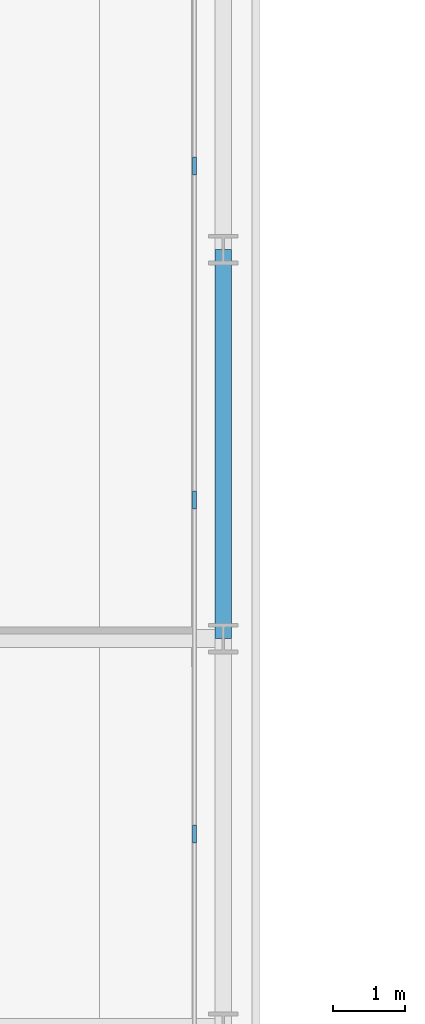
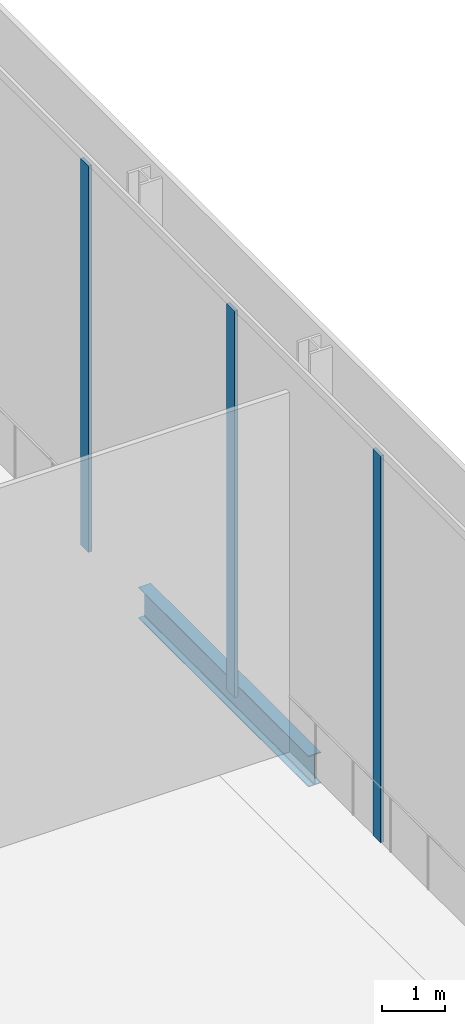
# One storey, part 16 of 37: 3 members, 1 beam, 1 element without a shape of its own.
"""IFC4 building model written with IfcOpenShell, lengths in metres."""

from ifc_helpers import new_model, si_unit, direction, frame, origin, origin_2d, place, context, subcontext, project, spatial, rectangle, i_section, extrude, material, layer, layer_set, material_profile, profile_set, type_object, element, aggregate, save


model = new_model("IFC4")

# Units and contexts
model_context = context("Model", 3, precision=1e-05, world=origin(), true_north=direction((0.0, 1.0)))
body_context = subcontext(model_context, "Body", "Model", "MODEL_VIEW")
ifc_project = project(units=[si_unit("LENGTHUNIT", "METRE"), si_unit("AREAUNIT", "SQUARE_METRE"), si_unit("VOLUMEUNIT", "CUBIC_METRE"), si_unit("PLANEANGLEUNIT", "RADIAN"), si_unit("MASSUNIT", "GRAM", prefix="KILO")], contexts=[model_context])

# Site, building, storey
site_placement = place(None, origin())
site = spatial("IfcSite", under=ifc_project, at=site_placement, CompositionType="ELEMENT")
building_placement = place(site_placement, origin())
building = spatial("IfcBuilding", under=site, at=building_placement, Name="Kheshtan School and Residences Tower", CompositionType="ELEMENT")
storey_placement = place(building_placement, frame((0.0, 0.0, 144.800048828125)))
storey = spatial("IfcBuildingStorey", under=building, at=storey_placement, Name="L34", CompositionType="ELEMENT", Elevation=144.800048828125)

# Beam
ifc_material_1 = material(Name="Steel ASTM A992 Grade 50", Category="steel")
ifc_material_profile_1 = material_profile(ifc_material_1, i_section(OverallWidth=0.22802734375, OverallDepth=0.60302734375, WebThickness=0.010498046875, FlangeThickness=0.014892578125, FilletRadius=0.013427734375, at=origin_2d()), Name="W610x101")
ifc_profile_set_1 = profile_set([ifc_material_profile_1], Name="Steel ASTM A992 Grade 50")
beam_type = type_object("IfcBeamType", Name="Beam SP2 W610x101 ASTM A992 Grade 50", PredefinedType="BEAM", material=ifc_profile_set_1)
beam_placement = place(storey_placement, frame((47.60009765625, 83.39990234375, -0.45166015625), z_axis=(0.0, -1.0, 0.0), x_axis=(1.0, 0.0, 0.0)))
element("IfcBeam", 1, at=beam_placement, inside=storey, type_object=beam_type, Name="Spandrel beam C091-C089", PredefinedType="BEAM", context=body_context, shape_type="SweptSolid", body=[
    extrude(i_section(OverallWidth=0.22802734375, OverallDepth=0.60302734375, WebThickness=0.010498046875, FlangeThickness=0.014892578125, FilletRadius=0.013427734375, at=origin_2d()), origin(), (0.0, 0.0, 1.0), 5.39990234375),
])

# Curtain wall, members
ifc_material_2 = material(Name="Clear low-e glass in thermally broken aluminium frame", Category="aluminium")
ifc_layer = layer(ifc_material_2, 0.25)
ifc_layer_set = layer_set([ifc_layer], Name="Curtain wall CW-K")
curtain_wall_type = type_object("IfcCurtainWallType", Name="Curtain wall CW-K", PredefinedType="NOTDEFINED", material=ifc_layer_set)
curtain_wall_placement = place(storey_placement, origin())
curtain_wall = element("IfcCurtainWall", 2, at=curtain_wall_placement, inside=storey, type_object=curtain_wall_type, Name="Curtain wall CWK24", PredefinedType="NOTDEFINED")
ifc_material_3 = material(Name="Thermally broken aluminium, dark bronze anodised", Category="aluminium")
ifc_material_profile_2 = material_profile(ifc_material_3, rectangle(XDim=0.06005859375, YDim=0.25, at=origin_2d()), Name="CW-K mullion 60x250")
ifc_profile_set_2 = profile_set([ifc_material_profile_2], Name="Thermally broken aluminium, dark bronze anodised")
member_type = type_object("IfcMemberType", Name="CW-K mullion 60x250", PredefinedType="MULLION", material=ifc_profile_set_2)
member_1_placement = place(storey_placement, frame((47.199951171875, 84.560546875, 0.0), z_axis=(0.0, 0.0, 1.0), x_axis=(1.0, 0.0, 0.0)))
member_1 = element("IfcMember", 3, at=member_1_placement, type_object=member_type, Name="CWK24 mullion 4", PredefinedType="MULLION", context=body_context, shape_type="SweptSolid", body=[
    extrude(rectangle(XDim=0.06005859375, YDim=0.25, at=origin_2d()), origin(), (0.0, 0.0, 1.0), 7.489990234375),
])
member_2_placement = place(storey_placement, frame((47.199951171875, 79.924072265625, 0.0), z_axis=(0.0, 0.0, 1.0), x_axis=(1.0, 0.0, 0.0)))
member_2 = element("IfcMember", 4, at=member_2_placement, type_object=member_type, Name="CWK24 mullion 5", PredefinedType="MULLION", context=body_context, shape_type="SweptSolid", body=[
    extrude(rectangle(XDim=0.06005859375, YDim=0.25, at=origin_2d()), origin(), (0.0, 0.0, 1.0), 7.489990234375),
])
member_3_placement = place(storey_placement, frame((47.199951171875, 75.287841796875, 0.0), z_axis=(0.0, 0.0, 1.0), x_axis=(1.0, 0.0, 0.0)))
member_3 = element("IfcMember", 5, at=member_3_placement, type_object=member_type, Name="CWK24 mullion 6", PredefinedType="MULLION", context=body_context, shape_type="SweptSolid", body=[
    extrude(rectangle(XDim=0.06005859375, YDim=0.25, at=origin_2d()), origin(), (0.0, 0.0, 1.0), 7.489990234375),
])
aggregate(curtain_wall, [member_1, member_2, member_3])

save(model, "model.ifc")
